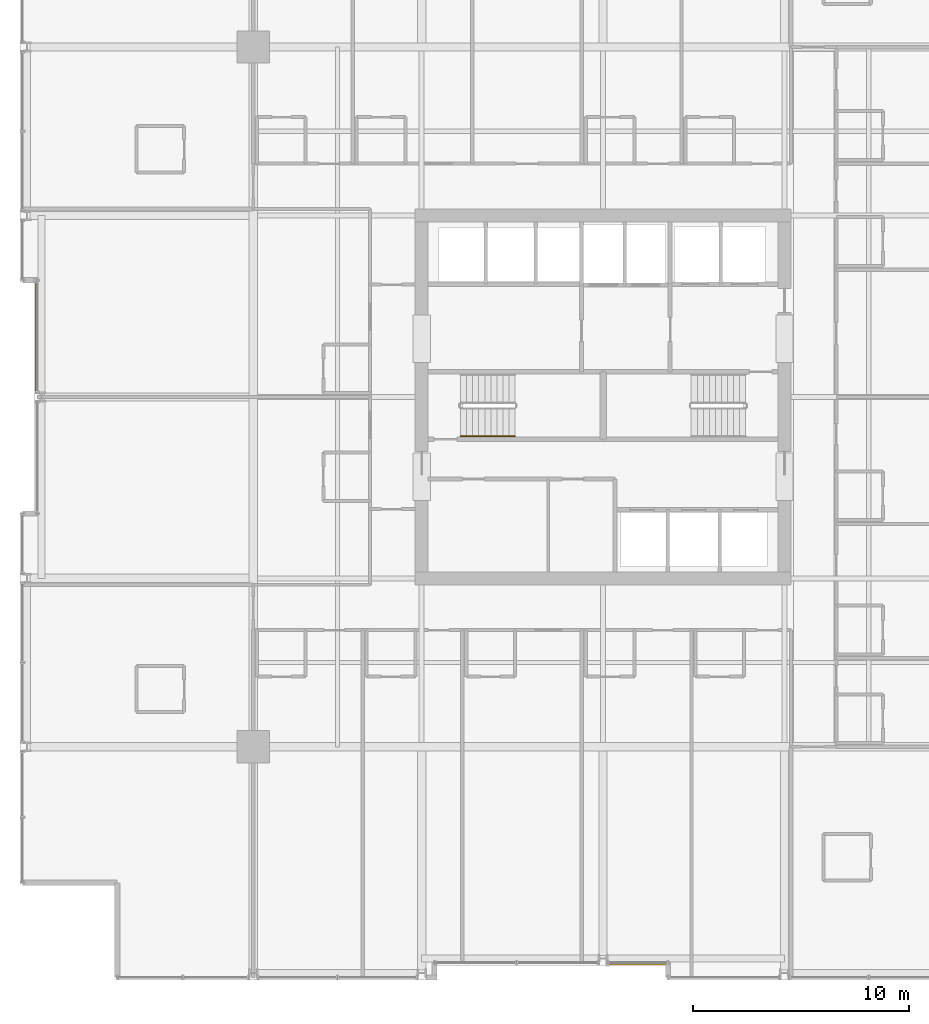
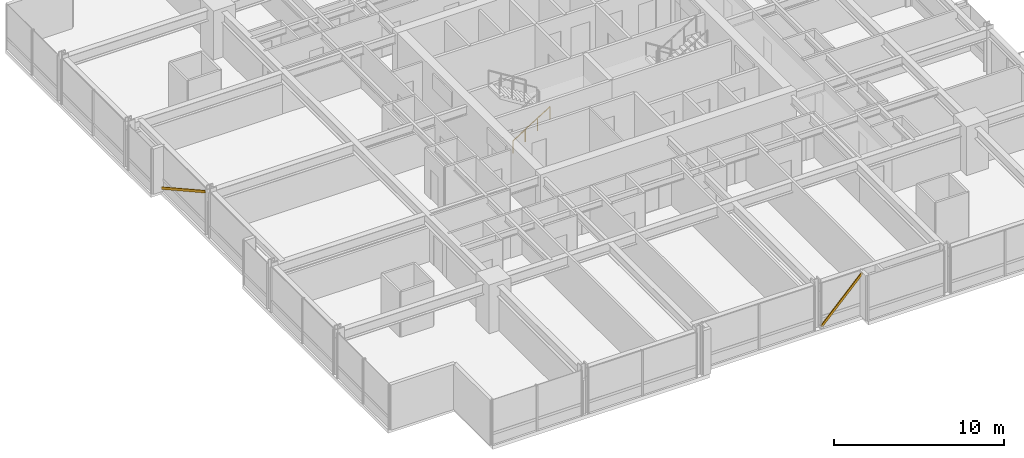
# One storey, part 33 of 35: 2 shading devices, 1 railing.
"""IFC4 building model written with IfcOpenShell, lengths in metres."""

import ifcopenshell
import ifcopenshell.guid

model = None  # the IFC model being written
_history = None  # IfcOwnerHistory: only IFC2X3 demands one
_inside = {}  # id of a spatial element -> (the spatial element, [elements in it])
_under = {}  # id of a project, library or spatial element -> (it, [spatial elements below it])
_declared = {}  # id of a project -> (the project, [libraries it declares])
_typed = {}  # id of a type object -> (the type object, [elements of that type])
_made_of = {}  # id of a material, layer set ... -> (it, [elements and type objects made of it])


def new_model(schema):
    """Start an empty IFC model of exactly this schema.

    Asked for "IFC4X3", IfcOpenShell would pick the latest addendum, in which some entities
    have other attributes; the version numbers below select the first issue.
    IFC2X3 requires an IfcOwnerHistory on every rooted entity: one is made here for all.
    """
    global model, _history
    if schema == "IFC4X3":
        model = ifcopenshell.file(schema_version=(4, 3, 0, 0))
    else:
        model = ifcopenshell.file(schema=schema)
    _inside.clear()
    _under.clear()
    _declared.clear()
    _typed.clear()
    _made_of.clear()
    _history = None
    if model.schema == "IFC2X3":
        org = make("IfcOrganization", Name="unknown")
        user = make(
            "IfcPersonAndOrganization",
            ThePerson=make("IfcPerson", FamilyName="unknown"),
            TheOrganization=org,
        )
        app = make(
            "IfcApplication",
            ApplicationDeveloper=org,
            Version="unknown",
            ApplicationFullName="unknown",
            ApplicationIdentifier="unknown",
        )
        _history = make(
            "IfcOwnerHistory",
            OwningUser=user,
            OwningApplication=app,
            ChangeAction="ADDED",
            CreationDate=0,
        )
    return model


def make(cls, **values):
    """One entity of the class cls with the attributes given. An attribute that is None is left unset."""
    return model.create_entity(
        cls, **{name: value for name, value in values.items() if value is not None}
    )


def rooted(cls, **values):
    """An entity with a GlobalId (a new one), such as an element, a storey or a relation."""
    return make(cls, GlobalId=ifcopenshell.guid.new(), OwnerHistory=_history, **values)


def si_unit(unit_type, name, prefix=None):
    """IfcSIUnit, for example si_unit("LENGTHUNIT", "METRE", prefix="MILLI")."""
    return make("IfcSIUnit", UnitType=unit_type, Prefix=prefix, Name=name)


def assignment(units):
    """IfcUnitAssignment: the units of a project."""
    return None if units is None else make("IfcUnitAssignment", Units=units)


def point(xyz):
    """IfcCartesianPoint."""
    return None if xyz is None else make("IfcCartesianPoint", Coordinates=xyz)


def direction(xyz):
    """IfcDirection."""
    return None if xyz is None else make("IfcDirection", DirectionRatios=xyz)


def frame(location, z_axis=None, x_axis=None):
    """IfcAxis2Placement3D, a coordinate frame: its origin and axes. An axis left out is left unset."""
    return make(
        "IfcAxis2Placement3D",
        Location=point(location),
        Axis=direction(z_axis),
        RefDirection=direction(x_axis),
    )


def frame_2d(location, x_axis=None):
    """IfcAxis2Placement2D, a coordinate frame in the plane: its origin and x axis."""
    return make(
        "IfcAxis2Placement2D", Location=point(location), RefDirection=direction(x_axis)
    )


def origin():
    """The frame at (0, 0, 0) with its axes left unset."""
    return frame((0.0, 0.0, 0.0))


def origin_2d():
    """The frame at (0, 0) in the plane with its x axis left unset."""
    return frame_2d((0.0, 0.0))


def place(relative_to, where):
    """IfcLocalPlacement: puts the frame where relative to a parent placement (None: the world)."""
    return make(
        "IfcLocalPlacement", PlacementRelTo=relative_to, RelativePlacement=where
    )


def context(
    kind, dimensions, precision=None, world=None, true_north=None, identifier=None
):
    """IfcGeometricRepresentationContext, for example the 3D "Model" context."""
    return make(
        "IfcGeometricRepresentationContext",
        ContextIdentifier=identifier,
        ContextType=kind,
        CoordinateSpaceDimension=dimensions,
        Precision=precision,
        WorldCoordinateSystem=world,
        TrueNorth=true_north,
    )


def subcontext(parent, identifier, kind, view, scale=None):
    """IfcGeometricRepresentationSubContext, for example "Body" below "Model"."""
    return make(
        "IfcGeometricRepresentationSubContext",
        ContextIdentifier=identifier,
        ContextType=kind,
        ParentContext=parent,
        TargetScale=scale,
        TargetView=view,
    )


def project(units=None, contexts=None):
    """IfcProject with its units and contexts."""
    return rooted(
        "IfcProject",
        Name="project",
        RepresentationContexts=contexts,
        UnitsInContext=assignment(units),
    )


def spatial(cls, under=None, at=None, **own):
    """A site, building, storey or space (cls), placed at a placement, below another one or the project."""
    s = rooted(cls, ObjectPlacement=at, **own)
    if under is not None:
        _under.setdefault(under.id(), (under, []))[1].append(s)
    return s


def profile(cls, at=None, kind="AREA", **sizes):
    """A parametric profile (cls). Its sizes go by their IFC names, for example OverallWidth=200.0."""
    return make(cls, ProfileType=kind, Position=at, **sizes)


def hollow_rectangle(**sizes):
    """IfcRectangleHollowProfileDef."""
    return profile("IfcRectangleHollowProfileDef", **sizes)


def circle(**sizes):
    """IfcCircleProfileDef."""
    return profile("IfcCircleProfileDef", **sizes)


def extrude(swept, where, along, depth):
    """IfcExtrudedAreaSolid: the profile swept, set in the frame where, extruded along a direction by depth."""
    return make(
        "IfcExtrudedAreaSolid",
        SweptArea=swept,
        Position=where,
        ExtrudedDirection=direction(along),
        Depth=depth,
    )


def shape(context_of_items, identifier, shape_type, items):
    """IfcShapeRepresentation: the items that make up one representation, for example the "Body"."""
    return make(
        "IfcShapeRepresentation",
        ContextOfItems=context_of_items,
        RepresentationIdentifier=identifier,
        RepresentationType=shape_type,
        Items=items,
    )


def material(Name=None, Category=None):
    """IfcMaterial."""
    return make("IfcMaterial", Name=Name, Category=Category)


def material_profile(
    of_material, cross_section, Name=None, Category=None, Priority=None
):
    """IfcMaterialProfile: a cross section and its material."""
    return make(
        "IfcMaterialProfile",
        Name=Name,
        Material=of_material,
        Profile=cross_section,
        Priority=Priority,
        Category=Category,
    )


def profile_set(profiles, Name=None, composite=None):
    """IfcMaterialProfileSet."""
    return make(
        "IfcMaterialProfileSet",
        Name=Name,
        MaterialProfiles=profiles,
        CompositeProfile=composite,
    )


def made_of(thing, what):
    """Note that an element or type object is made of a material, layer set ...; save() writes the relation."""
    if what is not None:
        _made_of.setdefault(what.id(), (what, []))[1].append(thing)
    return thing


def type_object(cls, material=None, **own):
    """A type object (cls), such as IfcWallType, which elements share."""
    return made_of(rooted(cls, **own), material)


def element(
    cls,
    number,
    at=None,
    inside=None,
    cuts=None,
    type_object=None,
    material=None,
    context=None,
    identifier="Body",
    shape_type=None,
    held_by="IfcProductDefinitionShape",
    body=None,
    shapes=None,
    **own,
):
    """One element of the class cls, such as IfcWall. Its Tag is "e" and its number.

    at: its placement. inside: the storey or other place that contains it. cuts: it is an
    opening in that element (IfcRelVoidsElement). A single representation is given by context,
    identifier, shape_type and body (its items); several are given by shapes. held_by: the class
    of the entity that holds the representations. save() writes the other relations.
    """
    e = rooted(cls, Tag="e%d" % number, ObjectPlacement=at, **own)
    if body is not None:
        shapes = [shape(context, identifier, shape_type, body)]
    if shapes is not None:
        e.Representation = make(held_by, Representations=shapes)
    if inside is not None:
        _inside.setdefault(inside.id(), (inside, []))[1].append(e)
    if cuts is not None:
        rooted(
            "IfcRelVoidsElement", RelatingBuildingElement=cuts, RelatedOpeningElement=e
        )
    if type_object is not None:
        _typed.setdefault(type_object.id(), (type_object, []))[1].append(e)
    return made_of(e, material)


def aggregate(whole, parts):
    """IfcRelAggregates: a whole, such as a stair, and the parts it consists of."""
    return rooted("IfcRelAggregates", RelatingObject=whole, RelatedObjects=parts)


def save(model, path):
    """Write the relations noted so far, then the file.

    IfcRelAggregates (storeys below a building ...), IfcRelContainedInSpatialStructure (elements
    in a storey), IfcRelDefinesByType, IfcRelAssociatesMaterial and IfcRelDeclares: one each for
    every whole, place, type object, material and project.
    """
    for whole, parts in _under.values():
        aggregate(whole, parts)
    for where, things in _inside.values():
        rooted(
            "IfcRelContainedInSpatialStructure",
            RelatedElements=things,
            RelatingStructure=where,
        )
    for kind, things in _typed.values():
        rooted("IfcRelDefinesByType", RelatedObjects=things, RelatingType=kind)
    for what, things in _made_of.values():
        rooted("IfcRelAssociatesMaterial", RelatedObjects=things, RelatingMaterial=what)
    for by, libraries in _declared.values():
        rooted("IfcRelDeclares", RelatingContext=by, RelatedDefinitions=libraries)
    model.write(path)


model = new_model("IFC4")

# Units and contexts
model_context = context("Model", 3, precision=1e-05, world=origin(), true_north=direction((0.0, 1.0)))
body_context = subcontext(model_context, "Body", "Model", "MODEL_VIEW")
ifc_project = project(units=[si_unit("LENGTHUNIT", "METRE"), si_unit("AREAUNIT", "SQUARE_METRE"), si_unit("VOLUMEUNIT", "CUBIC_METRE"), si_unit("PLANEANGLEUNIT", "RADIAN"), si_unit("MASSUNIT", "GRAM", prefix="KILO")], contexts=[model_context])

# Site, building, storey
site_placement = place(None, origin())
site = spatial("IfcSite", under=ifc_project, at=site_placement, CompositionType="ELEMENT")
building_placement = place(site_placement, origin())
building = spatial("IfcBuilding", under=site, at=building_placement, Name="Drelvath Grand Hotel", CompositionType="ELEMENT")
storey_placement = place(building_placement, frame((0.0, 0.0, 95.300048828125)))
storey = spatial("IfcBuildingStorey", under=building, at=storey_placement, Name="L23", CompositionType="ELEMENT", Elevation=95.300048828125)

# Railing
ifc_material_1 = material(Name="Painted Steel S275", Category="steel")
railing_type = type_object("IfcRailingType", Name="Core Stair Wall Handrail 900", PredefinedType="HANDRAIL", material=ifc_material_1)
railing_placement = place(storey_placement, frame((-6.60009765625, 25.169921875, 0.175048828125)))
element("IfcRailing", 1, at=railing_placement, inside=storey, type_object=railing_type, Name="L23 ST-1 stair handrail 1", PredefinedType="HANDRAIL", context=body_context, shape_type="SweptSolid", body=[
    extrude(circle(Radius=0.02392578125, at=origin_2d()), frame((0.0, 0.0, 0.8759765625), z_axis=(0.848007534815, 0.0, 0.529984170421), x_axis=(0.0, 1.0, 0.0)), (0.0, 0.0, 1.0), 2.9716796875),
    extrude(circle(Radius=0.02099609375, at=origin_2d()), origin(), (0.0, 0.0, 1.0), 0.851806640625),
    extrude(circle(Radius=0.02099609375, at=origin_2d()), frame((0.840087890625, 0.0, 0.52490234375)), (0.0, 0.0, 1.0), 0.851806640625),
    extrude(circle(Radius=0.02099609375, at=origin_2d()), frame((1.679931640625, 0.0, 1.050048828125)), (0.0, 0.0, 1.0), 0.851806640625),
    extrude(circle(Radius=0.02099609375, at=origin_2d()), frame((2.52001953125, 0.0, 1.574951171875)), (0.0, 0.0, 1.0), 0.851806640625),
])

# Shading devices
ifc_material_2 = material(Name="Champagne Bronze Anodised Aluminium", Category="aluminium")
ifc_material_profile = material_profile(ifc_material_2, hollow_rectangle(XDim=0.06494140625, YDim=0.159912109375, WallThickness=0.00390625, at=origin_2d()), Name="HSS160X65X4")
ifc_profile_set = profile_set([ifc_material_profile], Name="Champagne Bronze Anodised Aluminium")
shading_device_type = type_object("IfcShadingDeviceType", Name="Diagonal Solar Fin Champagne Anodised HSS160X65X4", PredefinedType="USERDEFINED", material=ifc_profile_set)
shading_device_1_placement = place(storey_placement, frame((-26.280029296875, 32.39990234375, 0.179931640625), z_axis=(0.0, -0.8740056863, 0.4859156926), x_axis=(1.0, 0.0, 0.0)))
element("IfcShadingDevice", 2, at=shading_device_1_placement, inside=storey, type_object=shading_device_type, Name="L23 Diagonal Anodised Fin CW03-L23-WM2", ObjectType="FIN", PredefinedType="USERDEFINED", context=body_context, shape_type="SweptSolid", body=[
    extrude(hollow_rectangle(XDim=0.06494140625, YDim=0.159912109375, WallThickness=0.00390625, at=origin_2d()), origin(), (0.0, 0.0, 1.0), 5.92724609375),
])
shading_device_2_placement = place(storey_placement, frame((0.219482421875, 0.719970703125, 0.179931640625), z_axis=(0.694556420652, 0.0, 0.719438238163), x_axis=(0.0, 1.0, 0.0)))
element("IfcShadingDevice", 3, at=shading_device_2_placement, inside=storey, type_object=shading_device_type, Name="L23 Diagonal Anodised Fin CW03-L23-SM2", ObjectType="FIN", PredefinedType="USERDEFINED", context=body_context, shape_type="SweptSolid", body=[
    extrude(hollow_rectangle(XDim=0.06494140625, YDim=0.159912109375, WallThickness=0.00390625, at=origin_2d()), origin(), (0.0, 0.0, 1.0), 4.00341796875),
])

save(model, "model.ifc")
